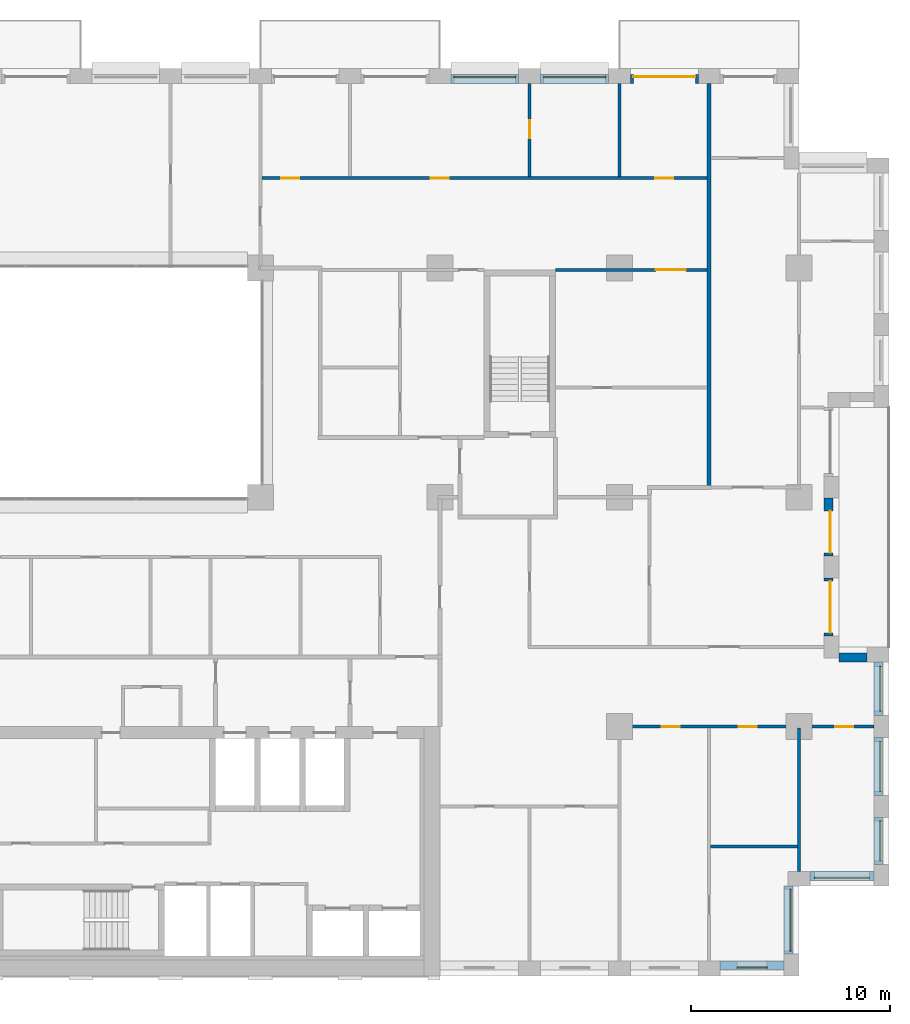
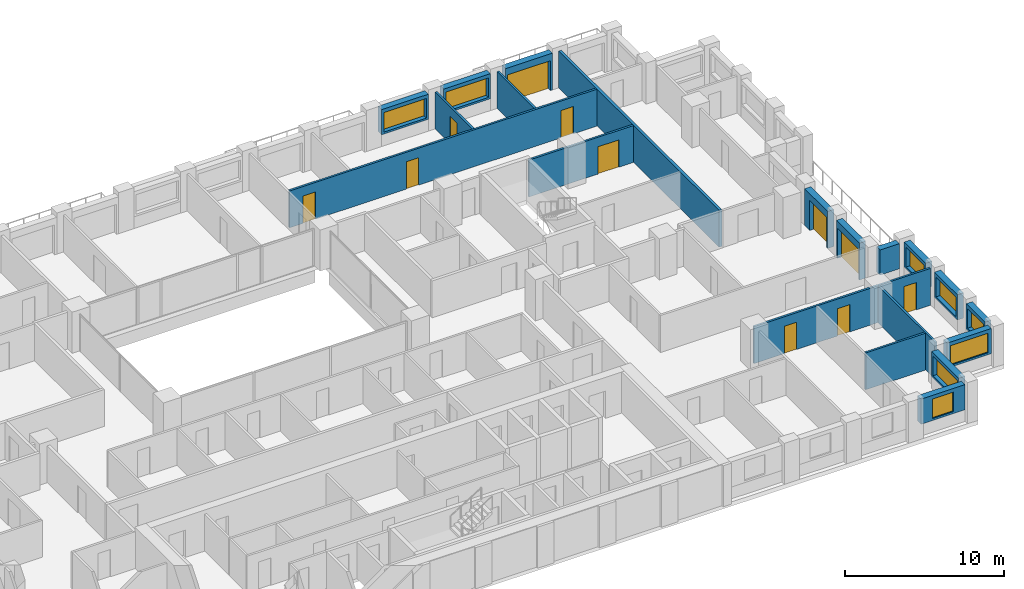
# One storey, part 14 of 17: 20 walls, 11 doors, 8 windows, 19 openings.
"""IFC4 building model written with IfcOpenShell, lengths in metres."""

from ifc_helpers import new_model, si_unit, direction, frame, frame_2d, origin, place, context, subcontext, project, spatial, rectangle, extrude, material, layer, layer_set, type_object, element, fill, save


model = new_model("IFC4")

# Units and contexts
model_context = context("Model", 3, precision=1e-05, world=origin(), true_north=direction((0.0, 1.0)))
body_context = subcontext(model_context, "Body", "Model", "MODEL_VIEW")
ifc_project = project(units=[si_unit("LENGTHUNIT", "METRE"), si_unit("AREAUNIT", "SQUARE_METRE"), si_unit("VOLUMEUNIT", "CUBIC_METRE"), si_unit("PLANEANGLEUNIT", "RADIAN"), si_unit("MASSUNIT", "GRAM", prefix="KILO")], contexts=[model_context])

# Site, building, storey
site_placement = place(None, origin())
site = spatial("IfcSite", under=ifc_project, at=site_placement, CompositionType="ELEMENT")
building_placement = place(site_placement, origin())
building = spatial("IfcBuilding", under=site, at=building_placement, Name="Brigalow Station Residences", CompositionType="ELEMENT")
storey_placement = place(building_placement, frame((0.0, 0.0, 96.14990234375)))
storey = spatial("IfcBuildingStorey", under=building, at=storey_placement, Name="L27", CompositionType="ELEMENT", Elevation=96.14990234375)

# Wall, opening, window
ifc_material_1 = material(Name="Clay brick masonry", Category="masonry")
ifc_layer_1 = layer(ifc_material_1, 0.449951171875)
ifc_layer_set_1 = layer_set([ifc_layer_1], Name="BRICK INFILL WALL 450")
wall_type_1 = type_object("IfcWallType", Name="BRICK INFILL WALL 450", PredefinedType="SOLIDWALL", material=ifc_layer_set_1)
wall_1_placement = place(storey_placement, frame((68.050048828125, 0.52490234375, 0.900146484375), z_axis=(0.0, 0.0, 1.0), x_axis=(1.0, 0.0, 0.0)))
wall_1 = element("IfcWall", 1, at=wall_1_placement, inside=storey, type_object=wall_type_1, Name="L27/ewall/W-L27-7", PredefinedType="SOLIDWALL", context=body_context, shape_type="SweptSolid", body=[
    extrude(rectangle(XDim=3.199951171875, YDim=0.449951171875, at=frame_2d((1.60009765625, 0.0))), origin(), (0.0, 0.0, 1.0), 1.929931640625),
])
opening_1_placement = place(wall_1_placement, frame((0.85009765625, 0.0, 0.14990234375)))
opening_1 = element("IfcOpeningElement", 2, at=opening_1_placement, cuts=wall_1, Name="Opening WT-1", PredefinedType="OPENING", context=body_context, shape_type="SweptSolid", body=[
    extrude(rectangle(XDim=1.5, YDim=1.5, at=frame_2d((0.75, 0.75))), frame((0.0, 0.23486328125, 0.0), z_axis=(0.0, -1.0, 0.0), x_axis=(1.0, 0.0, 0.0)), (0.0, 0.0, 1.0), 0.469970703125),
])
ifc_material_2 = material(Name="Anodised aluminium frame with double glazing", Category="aluminium")
window_type_1 = type_object("IfcWindowType", Name="WINDOW 1500x1500", PartitioningType="SINGLE_PANEL", PredefinedType="WINDOW", material=ifc_material_2)
window_1_placement = place(opening_1_placement, origin())
window_1 = element("IfcWindow", 3, at=window_1_placement, inside=storey, type_object=window_type_1, Name="L27/window/W-L27-7", OverallHeight=1.5, OverallWidth=1.5, PartitioningType="SINGLE_PANEL", PredefinedType="WINDOW", context=body_context, shape_type="SweptSolid", body=[
    extrude(rectangle(XDim=1.5, YDim=1.5, at=frame_2d((0.75, 0.75))), frame((0.0, -0.06494140625, 0.0), z_axis=(0.0, -1.0, 0.0), x_axis=(1.0, 0.0, 0.0)), (0.0, 0.0, 1.0), 0.06005859375),
])
fill(opening_1, window_1)

wall_2_placement = place(storey_placement, frame((71.47509765625, 1.10009765625, 0.900146484375), z_axis=(0.0, 0.0, 1.0), x_axis=(0.0, 1.0, 0.0)))
wall_2 = element("IfcWall", 4, at=wall_2_placement, inside=storey, type_object=wall_type_1, Name="L27/ewall/W-L27-8", PredefinedType="SOLIDWALL", context=body_context, shape_type="SweptSolid", body=[
    extrude(rectangle(XDim=3.39990234375, YDim=0.449951171875, at=frame_2d((1.699951171875, 0.0))), origin(), (0.0, 0.0, 1.0), 1.929931640625),
])
opening_2_placement = place(wall_2_placement, frame((0.14990234375, 0.0, 0.14990234375)))
opening_2 = element("IfcOpeningElement", 5, at=opening_2_placement, cuts=wall_2, Name="Opening WT-8", PredefinedType="OPENING", context=body_context, shape_type="SweptSolid", body=[
    extrude(rectangle(XDim=3.10009765625, YDim=1.5, at=frame_2d((1.550048828125, 0.75))), frame((0.0, 0.23486328125, 0.0), z_axis=(0.0, -1.0, 0.0), x_axis=(1.0, 0.0, 0.0)), (0.0, 0.0, 1.0), 0.469970703125),
])
ifc_material_3 = material(Name="Anodised aluminium frame with double glazing", Category="aluminium")
window_type_2 = type_object("IfcWindowType", Name="WINDOW 3100x1500", PartitioningType="SINGLE_PANEL", PredefinedType="WINDOW", material=ifc_material_3)
window_2_placement = place(opening_2_placement, origin())
window_2 = element("IfcWindow", 6, at=window_2_placement, inside=storey, type_object=window_type_2, Name="L27/window/W-L27-8", OverallHeight=1.5, OverallWidth=3.10009765625, PartitioningType="SINGLE_PANEL", PredefinedType="WINDOW", context=body_context, shape_type="SweptSolid", body=[
    extrude(rectangle(XDim=3.10009765625, YDim=1.5, at=frame_2d((1.550048828125, 0.75))), frame((0.0, -0.06494140625, 0.0), z_axis=(0.0, -1.0, 0.0), x_axis=(1.0, 0.0, 0.0)), (0.0, 0.0, 1.0), 0.06005859375),
])
fill(opening_2, window_2)

wall_3_placement = place(storey_placement, frame((72.550048828125, 5.02490234375, 0.900146484375), z_axis=(0.0, 0.0, 1.0), x_axis=(1.0, 0.0, 0.0)))
wall_3 = element("IfcWall", 7, at=wall_3_placement, inside=storey, type_object=wall_type_1, Name="L27/ewall/W-L27-9", PredefinedType="SOLIDWALL", context=body_context, shape_type="SweptSolid", body=[
    extrude(rectangle(XDim=3.199951171875, YDim=0.449951171875, at=frame_2d((1.60009765625, 0.0))), origin(), (0.0, 0.0, 1.0), 1.929931640625),
])
opening_3_placement = place(wall_3_placement, frame((0.22509765625, 0.0, 0.14990234375)))
opening_3 = element("IfcOpeningElement", 8, at=opening_3_placement, cuts=wall_3, Name="Opening WT-3", PredefinedType="OPENING", context=body_context, shape_type="SweptSolid", body=[
    extrude(rectangle(XDim=2.75, YDim=1.5, at=frame_2d((1.375, 0.75))), frame((0.0, 0.23486328125, 0.0), z_axis=(0.0, -1.0, 0.0), x_axis=(1.0, 0.0, 0.0)), (0.0, 0.0, 1.0), 0.469970703125),
])
ifc_material_4 = material(Name="Anodised aluminium frame with double glazing", Category="aluminium")
window_type_3 = type_object("IfcWindowType", Name="WINDOW 2750x1500", PartitioningType="SINGLE_PANEL", PredefinedType="WINDOW", material=ifc_material_4)
window_3_placement = place(opening_3_placement, origin())
window_3 = element("IfcWindow", 9, at=window_3_placement, inside=storey, type_object=window_type_3, Name="L27/window/W-L27-9", OverallHeight=1.5, OverallWidth=2.75, PartitioningType="SINGLE_PANEL", PredefinedType="WINDOW", context=body_context, shape_type="SweptSolid", body=[
    extrude(rectangle(XDim=2.75, YDim=1.5, at=frame_2d((1.375, 0.75))), frame((0.0, -0.06494140625, 0.0), z_axis=(0.0, -1.0, 0.0), x_axis=(1.0, 0.0, 0.0)), (0.0, 0.0, 1.0), 0.06005859375),
])
fill(opening_3, window_3)

wall_4_placement = place(storey_placement, frame((75.97509765625, 5.60009765625, 0.900146484375), z_axis=(0.0, 0.0, 1.0), x_axis=(0.0, 1.0, 0.0)))
wall_4 = element("IfcWall", 10, at=wall_4_placement, inside=storey, type_object=wall_type_1, Name="L27/ewall/W-L27-10", PredefinedType="SOLIDWALL", context=body_context, shape_type="SweptSolid", body=[
    extrude(rectangle(XDim=2.349853515625, YDim=0.449951171875, at=frame_2d((1.1748046875, 0.0))), origin(), (0.0, 0.0, 1.0), 1.929931640625),
])
opening_4_placement = place(wall_4_placement, frame((0.175048828125, 0.0, 0.14990234375)))
opening_4 = element("IfcOpeningElement", 11, at=opening_4_placement, cuts=wall_4, Name="Opening WT-7", PredefinedType="OPENING", context=body_context, shape_type="SweptSolid", body=[
    extrude(rectangle(XDim=2.0, YDim=1.5, at=frame_2d((1.0, 0.75))), frame((0.0, 0.23486328125, 0.0), z_axis=(0.0, -1.0, 0.0), x_axis=(1.0, 0.0, 0.0)), (0.0, 0.0, 1.0), 0.469970703125),
])
ifc_material_5 = material(Name="Anodised aluminium frame with double glazing", Category="aluminium")
window_type_4 = type_object("IfcWindowType", Name="WINDOW 2000x1500", PartitioningType="SINGLE_PANEL", PredefinedType="WINDOW", material=ifc_material_5)
window_4_placement = place(opening_4_placement, origin())
window_4 = element("IfcWindow", 12, at=window_4_placement, inside=storey, type_object=window_type_4, Name="L27/window/W-L27-10", OverallHeight=1.5, OverallWidth=2.0, PartitioningType="SINGLE_PANEL", PredefinedType="WINDOW", context=body_context, shape_type="SweptSolid", body=[
    extrude(rectangle(XDim=2.0, YDim=1.5, at=frame_2d((1.0, 0.75))), frame((0.0, -0.06494140625, 0.0), z_axis=(0.0, -1.0, 0.0), x_axis=(1.0, 0.0, 0.0)), (0.0, 0.0, 1.0), 0.06005859375),
])
fill(opening_4, window_4)

wall_5_placement = place(storey_placement, frame((75.97509765625, 9.050048828125, 0.900146484375), z_axis=(0.0, 0.0, 1.0), x_axis=(0.0, 1.0, 0.0)))
wall_5 = element("IfcWall", 13, at=wall_5_placement, inside=storey, type_object=wall_type_1, Name="L27/ewall/W-L27-11", PredefinedType="SOLIDWALL", context=body_context, shape_type="SweptSolid", body=[
    extrude(rectangle(XDim=2.89990234375, YDim=0.449951171875, at=frame_2d((1.449951171875, 0.0))), origin(), (0.0, 0.0, 1.0), 1.929931640625),
])
opening_5_placement = place(wall_5_placement, frame((0.199951171875, 0.0, 0.14990234375)))
opening_5 = element("IfcOpeningElement", 14, at=opening_5_placement, cuts=wall_5, Name="Opening WT-5", PredefinedType="OPENING", context=body_context, shape_type="SweptSolid", body=[
    extrude(rectangle(XDim=2.5, YDim=1.5, at=frame_2d((1.25, 0.75))), frame((0.0, 0.23486328125, 0.0), z_axis=(0.0, -1.0, 0.0), x_axis=(1.0, 0.0, 0.0)), (0.0, 0.0, 1.0), 0.469970703125),
])
ifc_material_6 = material(Name="Anodised aluminium frame with double glazing", Category="aluminium")
window_type_5 = type_object("IfcWindowType", Name="WINDOW 2500x1500", PartitioningType="SINGLE_PANEL", PredefinedType="WINDOW", material=ifc_material_6)
window_5_placement = place(opening_5_placement, origin())
window_5 = element("IfcWindow", 15, at=window_5_placement, inside=storey, type_object=window_type_5, Name="L27/window/W-L27-11", OverallHeight=1.5, OverallWidth=2.5, PartitioningType="SINGLE_PANEL", PredefinedType="WINDOW", context=body_context, shape_type="SweptSolid", body=[
    extrude(rectangle(XDim=2.5, YDim=1.5, at=frame_2d((1.25, 0.75))), frame((0.0, -0.06494140625, 0.0), z_axis=(0.0, -1.0, 0.0), x_axis=(1.0, 0.0, 0.0)), (0.0, 0.0, 1.0), 0.06005859375),
])
fill(opening_5, window_5)

wall_6_placement = place(storey_placement, frame((75.97509765625, 13.050048828125, 0.900146484375), z_axis=(0.0, 0.0, 1.0), x_axis=(0.0, 1.0, 0.0)))
wall_6 = element("IfcWall", 16, at=wall_6_placement, inside=storey, type_object=wall_type_1, Name="L27/ewall/W-L27-12", PredefinedType="SOLIDWALL", context=body_context, shape_type="SweptSolid", body=[
    extrude(rectangle(XDim=2.699951171875, YDim=0.449951171875, at=frame_2d((1.35009765625, 0.0))), origin(), (0.0, 0.0, 1.0), 1.929931640625),
])
opening_6_placement = place(wall_6_placement, frame((0.22509765625, 0.0, 0.14990234375)))
opening_6 = element("IfcOpeningElement", 17, at=opening_6_placement, cuts=wall_6, Name="Opening WT-6", PredefinedType="OPENING", context=body_context, shape_type="SweptSolid", body=[
    extrude(rectangle(XDim=2.25, YDim=1.5, at=frame_2d((1.125, 0.75))), frame((0.0, 0.23486328125, 0.0), z_axis=(0.0, -1.0, 0.0), x_axis=(1.0, 0.0, 0.0)), (0.0, 0.0, 1.0), 0.469970703125),
])
ifc_material_7 = material(Name="Anodised aluminium frame with double glazing", Category="aluminium")
window_type_6 = type_object("IfcWindowType", Name="WINDOW 2250x1500", PartitioningType="SINGLE_PANEL", PredefinedType="WINDOW", material=ifc_material_7)
window_6_placement = place(opening_6_placement, origin())
window_6 = element("IfcWindow", 18, at=window_6_placement, inside=storey, type_object=window_type_6, Name="L27/window/W-L27-12", OverallHeight=1.5, OverallWidth=2.25, PartitioningType="SINGLE_PANEL", PredefinedType="WINDOW", context=body_context, shape_type="SweptSolid", body=[
    extrude(rectangle(XDim=2.25, YDim=1.5, at=frame_2d((1.125, 0.75))), frame((0.0, -0.06494140625, 0.0), z_axis=(0.0, -1.0, 0.0), x_axis=(1.0, 0.0, 0.0)), (0.0, 0.0, 1.0), 0.06005859375),
])
fill(opening_6, window_6)

# Wall
wall_7_placement = place(storey_placement, frame((75.39990234375, 15.97509765625, 0.900146484375), z_axis=(0.0, 0.0, 1.0), x_axis=(-1.0, 0.0, 0.0)))
element("IfcWall", 19, at=wall_7_placement, inside=storey, type_object=wall_type_1, Name="L27/ewall/W-L27-13", PredefinedType="SOLIDWALL", context=body_context, shape_type="SweptSolid", body=[
    extrude(rectangle(XDim=1.39990234375, YDim=0.449951171875, at=frame_2d((0.699951171875, 0.0))), origin(), (0.0, 0.0, 1.0), 1.929931640625),
])

# Wall, opening, door
wall_8_placement = place(storey_placement, frame((73.47509765625, 17.050048828125, 0.0), z_axis=(0.0, 0.0, 1.0), x_axis=(0.0, 1.0, 0.0)))
wall_8 = element("IfcWall", 20, at=wall_8_placement, inside=storey, type_object=wall_type_1, Name="L27/ewall/W-L27-14", PredefinedType="SOLIDWALL", context=body_context, shape_type="SweptSolid", body=[
    extrude(rectangle(XDim=2.89990234375, YDim=0.449951171875, at=frame_2d((1.449951171875, 0.0))), origin(), (0.0, 0.0, 1.0), 2.830078125),
])
opening_7_placement = place(wall_8_placement, frame((0.14990234375, 0.0, 0.0)))
opening_7 = element("IfcOpeningElement", 21, at=opening_7_placement, cuts=wall_8, Name="Opening D-B2600", PredefinedType="OPENING", context=body_context, shape_type="SweptSolid", body=[
    extrude(rectangle(XDim=2.60009765625, YDim=2.300048828125, at=frame_2d((1.300048828125, 1.14990234375))), frame((0.0, 0.23486328125, 0.0), z_axis=(0.0, -1.0, 0.0), x_axis=(1.0, 0.0, 0.0)), (0.0, 0.0, 1.0), 0.469970703125),
])
ifc_material_8 = material(Name="Anodised aluminium frame with double glazing", Category="aluminium")
door_type_1 = type_object("IfcDoorType", Name="BALCONY SLIDING DOOR 2600x2300", OperationType="SLIDING_TO_LEFT", PredefinedType="DOOR", material=ifc_material_8)
door_1_placement = place(opening_7_placement, origin())
door_1 = element("IfcDoor", 22, at=door_1_placement, inside=storey, type_object=door_type_1, Name="L27/balcony-door/W-L27-14", OperationType="SLIDING_TO_LEFT", OverallHeight=2.300048828125, OverallWidth=2.60009765625, PredefinedType="DOOR", context=body_context, shape_type="SweptSolid", body=[
    extrude(rectangle(XDim=2.60009765625, YDim=2.300048828125, at=frame_2d((1.300048828125, 1.14990234375))), frame((0.0, -0.06982421875, 0.0), z_axis=(0.0, -1.0, 0.0), x_axis=(1.0, 0.0, 0.0)), (0.0, 0.0, 1.0), 0.050048828125),
])
fill(opening_7, door_1)

wall_9_placement = place(storey_placement, frame((73.47509765625, 21.050048828125, 0.0), z_axis=(0.0, 0.0, 1.0), x_axis=(0.0, 1.0, 0.0)))
wall_9 = element("IfcWall", 23, at=wall_9_placement, inside=storey, type_object=wall_type_1, Name="L27/ewall/W-L27-15", PredefinedType="SOLIDWALL", context=body_context, shape_type="SweptSolid", body=[
    extrude(rectangle(XDim=2.89990234375, YDim=0.449951171875, at=frame_2d((1.449951171875, 0.0))), origin(), (0.0, 0.0, 1.0), 2.830078125),
])
opening_8_placement = place(wall_9_placement, frame((0.1650390625, 0.0, 0.0)))
opening_8 = element("IfcOpeningElement", 24, at=opening_8_placement, cuts=wall_9, Name="Opening D-B2100", PredefinedType="OPENING", context=body_context, shape_type="SweptSolid", body=[
    extrude(rectangle(XDim=2.10009765625, YDim=2.300048828125, at=frame_2d((1.050048828125, 1.14990234375))), frame((0.0, 0.23486328125, 0.0), z_axis=(0.0, -1.0, 0.0), x_axis=(1.0, 0.0, 0.0)), (0.0, 0.0, 1.0), 0.469970703125),
])
ifc_material_9 = material(Name="Anodised aluminium frame with double glazing", Category="aluminium")
door_type_2 = type_object("IfcDoorType", Name="BALCONY SLIDING DOOR 2100x2300", OperationType="SLIDING_TO_LEFT", PredefinedType="DOOR", material=ifc_material_9)
door_2_placement = place(opening_8_placement, origin())
door_2 = element("IfcDoor", 25, at=door_2_placement, inside=storey, type_object=door_type_2, Name="L27/balcony-door/W-L27-15", OperationType="SLIDING_TO_LEFT", OverallHeight=2.300048828125, OverallWidth=2.10009765625, PredefinedType="DOOR", context=body_context, shape_type="SweptSolid", body=[
    extrude(rectangle(XDim=2.10009765625, YDim=2.300048828125, at=frame_2d((1.050048828125, 1.14990234375))), frame((0.0, -0.06982421875, 0.0), z_axis=(0.0, -1.0, 0.0), x_axis=(1.0, 0.0, 0.0)), (0.0, 0.0, 1.0), 0.050048828125),
])
fill(opening_8, door_2)

wall_10_placement = place(storey_placement, frame((66.949951171875, 44.97509765625, 0.0), z_axis=(0.0, 0.0, 1.0), x_axis=(-1.0, 0.0, 0.0)))
wall_10 = element("IfcWall", 26, at=wall_10_placement, inside=storey, type_object=wall_type_1, Name="L27/ewall/W-L27-24", PredefinedType="SOLIDWALL", context=body_context, shape_type="SweptSolid", body=[
    extrude(rectangle(XDim=3.39990234375, YDim=0.449951171875, at=frame_2d((1.699951171875, 0.0))), origin(), (0.0, 0.0, 1.0), 2.830078125),
])
opening_9_placement = place(wall_10_placement, frame((0.14990234375, 0.0, 0.0)))
opening_9 = element("IfcOpeningElement", 27, at=opening_9_placement, cuts=wall_10, Name="Opening D-B3100", PredefinedType="OPENING", context=body_context, shape_type="SweptSolid", body=[
    extrude(rectangle(XDim=3.10009765625, YDim=2.300048828125, at=frame_2d((1.550048828125, 1.14990234375))), frame((0.0, 0.23486328125, 0.0), z_axis=(0.0, -1.0, 0.0), x_axis=(1.0, 0.0, 0.0)), (0.0, 0.0, 1.0), 0.469970703125),
])
ifc_material_10 = material(Name="Anodised aluminium frame with double glazing", Category="aluminium")
door_type_3 = type_object("IfcDoorType", Name="BALCONY SLIDING DOOR 3100x2300", OperationType="SLIDING_TO_LEFT", PredefinedType="DOOR", material=ifc_material_10)
door_3_placement = place(opening_9_placement, origin())
door_3 = element("IfcDoor", 28, at=door_3_placement, inside=storey, type_object=door_type_3, Name="L27/balcony-door/W-L27-24", OperationType="SLIDING_TO_LEFT", OverallHeight=2.300048828125, OverallWidth=3.10009765625, PredefinedType="DOOR", context=body_context, shape_type="SweptSolid", body=[
    extrude(rectangle(XDim=3.10009765625, YDim=2.300048828125, at=frame_2d((1.550048828125, 1.14990234375))), frame((0.0, -0.06982421875, 0.0), z_axis=(0.0, -1.0, 0.0), x_axis=(1.0, 0.0, 0.0)), (0.0, 0.0, 1.0), 0.050048828125),
])
fill(opening_9, door_3)

# Wall, opening, window
wall_11_placement = place(storey_placement, frame((62.449951171875, 44.97509765625, 0.900146484375), z_axis=(0.0, 0.0, 1.0), x_axis=(-1.0, 0.0, 0.0)))
wall_11 = element("IfcWall", 29, at=wall_11_placement, inside=storey, type_object=wall_type_1, Name="L27/ewall/W-L27-25", PredefinedType="SOLIDWALL", context=body_context, shape_type="SweptSolid", body=[
    extrude(rectangle(XDim=3.39990234375, YDim=0.449951171875, at=frame_2d((1.699951171875, 0.0))), origin(), (0.0, 0.0, 1.0), 1.929931640625),
])
opening_10_placement = place(wall_11_placement, frame((0.14990234375, 0.0, 0.14990234375)))
opening_10 = element("IfcOpeningElement", 30, at=opening_10_placement, cuts=wall_11, Name="Opening WT-8", PredefinedType="OPENING", context=body_context, shape_type="SweptSolid", body=[
    extrude(rectangle(XDim=3.10009765625, YDim=1.5, at=frame_2d((1.550048828125, 0.75))), frame((0.0, 0.23486328125, 0.0), z_axis=(0.0, -1.0, 0.0), x_axis=(1.0, 0.0, 0.0)), (0.0, 0.0, 1.0), 0.469970703125),
])
window_7_placement = place(opening_10_placement, origin())
window_7 = element("IfcWindow", 31, at=window_7_placement, inside=storey, type_object=window_type_2, Name="L27/window/W-L27-25", OverallHeight=1.5, OverallWidth=3.10009765625, PartitioningType="SINGLE_PANEL", PredefinedType="WINDOW", context=body_context, shape_type="SweptSolid", body=[
    extrude(rectangle(XDim=3.10009765625, YDim=1.5, at=frame_2d((1.550048828125, 0.75))), frame((0.0, -0.06494140625, 0.0), z_axis=(0.0, -1.0, 0.0), x_axis=(1.0, 0.0, 0.0)), (0.0, 0.0, 1.0), 0.06005859375),
])
fill(opening_10, window_7)

wall_12_placement = place(storey_placement, frame((57.949951171875, 44.97509765625, 0.900146484375), z_axis=(0.0, 0.0, 1.0), x_axis=(-1.0, 0.0, 0.0)))
wall_12 = element("IfcWall", 32, at=wall_12_placement, inside=storey, type_object=wall_type_1, Name="L27/ewall/W-L27-26", PredefinedType="SOLIDWALL", context=body_context, shape_type="SweptSolid", body=[
    extrude(rectangle(XDim=3.39990234375, YDim=0.449951171875, at=frame_2d((1.699951171875, 0.0))), origin(), (0.0, 0.0, 1.0), 1.929931640625),
])
opening_11_placement = place(wall_12_placement, frame((0.14990234375, 0.0, 0.14990234375)))
opening_11 = element("IfcOpeningElement", 33, at=opening_11_placement, cuts=wall_12, Name="Opening WT-8", PredefinedType="OPENING", context=body_context, shape_type="SweptSolid", body=[
    extrude(rectangle(XDim=3.10009765625, YDim=1.5, at=frame_2d((1.550048828125, 0.75))), frame((0.0, 0.23486328125, 0.0), z_axis=(0.0, -1.0, 0.0), x_axis=(1.0, 0.0, 0.0)), (0.0, 0.0, 1.0), 0.469970703125),
])
window_8_placement = place(opening_11_placement, origin())
window_8 = element("IfcWindow", 34, at=window_8_placement, inside=storey, type_object=window_type_2, Name="L27/window/W-L27-26", OverallHeight=1.5, OverallWidth=3.10009765625, PartitioningType="SINGLE_PANEL", PredefinedType="WINDOW", context=body_context, shape_type="SweptSolid", body=[
    extrude(rectangle(XDim=3.10009765625, YDim=1.5, at=frame_2d((1.550048828125, 0.75))), frame((0.0, -0.06494140625, 0.0), z_axis=(0.0, -1.0, 0.0), x_axis=(1.0, 0.0, 0.0)), (0.0, 0.0, 1.0), 0.06005859375),
])
fill(opening_11, window_8)

# Wall, openings, doors
ifc_material_11 = material(Name="Plasterboard on steel stud partition", Category="steel")
ifc_layer_2 = layer(ifc_material_11, 0.14990234375)
ifc_layer_set_2 = layer_set([ifc_layer_2], Name="FLAT PARTITION 150")
wall_type_2 = type_object("IfcWallType", Name="FLAT PARTITION 150", PredefinedType="PARTITIONING", material=ifc_layer_set_2)
wall_13_placement = place(storey_placement, frame((62.925048828125, 12.5, 0.0), z_axis=(0.0, 0.0, 1.0), x_axis=(1.0, 0.0, 0.0)))
wall_13 = element("IfcWall", 35, at=wall_13_placement, inside=storey, type_object=wall_type_2, Name="PW-2B17", PredefinedType="PARTITIONING", context=body_context, shape_type="SweptSolid", body=[
    extrude(rectangle(XDim=12.824951171875, YDim=0.14990234375, at=frame_2d((6.41259765625, 0.0))), origin(), (0.0, 0.0, 1.0), 2.830078125),
])
opening_12_placement = place(wall_13_placement, frame((6.050048828125, 0.0, 0.0)))
opening_12 = element("IfcOpeningElement", 36, at=opening_12_placement, cuts=wall_13, Name="Opening D-2B35", PredefinedType="OPENING", context=body_context, shape_type="SweptSolid", body=[
    extrude(rectangle(XDim=0.89990234375, YDim=2.10009765625, at=frame_2d((0.449951171875, 1.050048828125))), frame((0.0, 0.0849609375, 0.0), z_axis=(0.0, -1.0, 0.0), x_axis=(1.0, 0.0, 0.0)), (0.0, 0.0, 1.0), 0.169921875),
])
opening_13_placement = place(wall_13_placement, frame((2.199951171875, 0.0, 0.0)))
opening_13 = element("IfcOpeningElement", 37, at=opening_13_placement, cuts=wall_13, Name="Opening D-2B37", PredefinedType="OPENING", context=body_context, shape_type="SweptSolid", body=[
    extrude(rectangle(XDim=0.89990234375, YDim=2.10009765625, at=frame_2d((0.449951171875, 1.050048828125))), frame((0.0, 0.0849609375, 0.0), z_axis=(0.0, -1.0, 0.0), x_axis=(1.0, 0.0, 0.0)), (0.0, 0.0, 1.0), 0.169921875),
])
opening_14_placement = place(wall_13_placement, frame((10.89990234375, 0.0, 0.0)))
opening_14 = element("IfcOpeningElement", 38, at=opening_14_placement, cuts=wall_13, Name="Opening D-2B39", PredefinedType="OPENING", context=body_context, shape_type="SweptSolid", body=[
    extrude(rectangle(XDim=0.89990234375, YDim=2.10009765625, at=frame_2d((0.449951171875, 1.050048828125))), frame((0.0, 0.0849609375, 0.0), z_axis=(0.0, -1.0, 0.0), x_axis=(1.0, 0.0, 0.0)), (0.0, 0.0, 1.0), 0.169921875),
])
ifc_material_12 = material(Name="Solid-core timber door leaf", Category="wood")
door_type_4 = type_object("IfcDoorType", Name="INTERNAL DOOR 900 x 2100", OperationType="SINGLE_SWING_LEFT", PredefinedType="DOOR", material=ifc_material_12)
door_4_placement = place(opening_12_placement, frame((0.89990234375, 0.0, 0.0), z_axis=(0.0, 0.0, 1.0), x_axis=(-1.0, 0.0, 0.0)))
door_4 = element("IfcDoor", 39, at=door_4_placement, inside=storey, type_object=door_type_4, Name="D-2B35", OperationType="SINGLE_SWING_RIGHT", OverallHeight=2.10009765625, OverallWidth=0.89990234375, PredefinedType="DOOR", context=body_context, shape_type="SweptSolid", body=[
    extrude(rectangle(XDim=0.89990234375, YDim=2.10009765625, at=frame_2d((0.449951171875, 1.050048828125))), frame((0.0, 0.02490234375, 0.0), z_axis=(0.0, -1.0, 0.0), x_axis=(1.0, 0.0, 0.0)), (0.0, 0.0, 1.0), 0.050048828125),
])
fill(opening_12, door_4)
door_5_placement = place(opening_13_placement, frame((0.89990234375, 0.0, 0.0), z_axis=(0.0, 0.0, 1.0), x_axis=(-1.0, 0.0, 0.0)))
door_5 = element("IfcDoor", 40, at=door_5_placement, inside=storey, type_object=door_type_4, Name="D-2B37", OperationType="SINGLE_SWING_LEFT", OverallHeight=2.10009765625, OverallWidth=0.89990234375, PredefinedType="DOOR", context=body_context, shape_type="SweptSolid", body=[
    extrude(rectangle(XDim=0.89990234375, YDim=2.10009765625, at=frame_2d((0.449951171875, 1.050048828125))), frame((0.0, 0.02490234375, 0.0), z_axis=(0.0, -1.0, 0.0), x_axis=(1.0, 0.0, 0.0)), (0.0, 0.0, 1.0), 0.050048828125),
])
fill(opening_13, door_5)
door_6_placement = place(opening_14_placement, frame((0.89990234375, 0.0, 0.0), z_axis=(0.0, 0.0, 1.0), x_axis=(-1.0, 0.0, 0.0)))
door_6 = element("IfcDoor", 41, at=door_6_placement, inside=storey, type_object=door_type_4, Name="D-2B39", OperationType="SINGLE_SWING_LEFT", OverallHeight=2.10009765625, OverallWidth=0.89990234375, PredefinedType="DOOR", context=body_context, shape_type="SweptSolid", body=[
    extrude(rectangle(XDim=0.89990234375, YDim=2.10009765625, at=frame_2d((0.449951171875, 1.050048828125))), frame((0.0, 0.02490234375, 0.0), z_axis=(0.0, -1.0, 0.0), x_axis=(1.0, 0.0, 0.0)), (0.0, 0.0, 1.0), 0.050048828125),
])
fill(opening_14, door_6)

# Wall, opening, door
wall_14_placement = place(storey_placement, frame((59.800048828125, 35.39990234375, 0.0), z_axis=(0.0, 0.0, 1.0), x_axis=(1.0, 0.0, 0.0)))
wall_14 = element("IfcWall", 42, at=wall_14_placement, inside=storey, type_object=wall_type_2, Name="PW-2B29", PredefinedType="PARTITIONING", context=body_context, shape_type="SweptSolid", body=[
    extrude(rectangle(XDim=7.599853515625, YDim=0.14990234375, at=frame_2d((3.7998046875, 0.0))), origin(), (0.0, 0.0, 1.0), 2.830078125),
])
opening_15_placement = place(wall_14_placement, frame((5.02490234375, 0.0, 0.0)))
opening_15 = element("IfcOpeningElement", 43, at=opening_15_placement, cuts=wall_14, Name="Opening D-2B31", PredefinedType="OPENING", context=body_context, shape_type="SweptSolid", body=[
    extrude(rectangle(XDim=1.5, YDim=2.10009765625, at=frame_2d((0.75, 1.050048828125))), frame((0.0, 0.0849609375, 0.0), z_axis=(0.0, -1.0, 0.0), x_axis=(1.0, 0.0, 0.0)), (0.0, 0.0, 1.0), 0.169921875),
])
ifc_material_13 = material(Name="Solid-core timber door leaf", Category="wood")
door_type_5 = type_object("IfcDoorType", Name="INTERNAL DOUBLE DOOR 1500 x 2100", OperationType="DOUBLE_DOOR_SINGLE_SWING", PredefinedType="DOOR", material=ifc_material_13)
door_7_placement = place(opening_15_placement, frame((1.5, 0.0, 0.0), z_axis=(0.0, 0.0, 1.0), x_axis=(-1.0, 0.0, 0.0)))
door_7 = element("IfcDoor", 44, at=door_7_placement, inside=storey, type_object=door_type_5, Name="D-2B31", OperationType="DOUBLE_DOOR_SINGLE_SWING", OverallHeight=2.10009765625, OverallWidth=1.5, PredefinedType="DOOR", context=body_context, shape_type="SweptSolid", body=[
    extrude(rectangle(XDim=1.5, YDim=2.10009765625, at=frame_2d((0.75, 1.050048828125))), frame((0.0, 0.02490234375, 0.0), z_axis=(0.0, -1.0, 0.0), x_axis=(1.0, 0.0, 0.0)), (0.0, 0.0, 1.0), 0.050048828125),
])
fill(opening_15, door_7)

# Wall, openings, doors
wall_15_placement = place(storey_placement, frame((45.074951171875, 40.0, 0.0), z_axis=(0.0, 0.0, 1.0), x_axis=(1.0, 0.0, 0.0)))
wall_15 = element("IfcWall", 45, at=wall_15_placement, inside=storey, type_object=wall_type_2, Name="PW-2B34", PredefinedType="PARTITIONING", context=body_context, shape_type="SweptSolid", body=[
    extrude(rectangle(XDim=22.324951171875, YDim=0.14990234375, at=frame_2d((11.16259765625, 0.0))), origin(), (0.0, 0.0, 1.0), 2.830078125),
])
opening_16_placement = place(wall_15_placement, frame((0.97509765625, 0.0, 0.0)))
opening_16 = element("IfcOpeningElement", 46, at=opening_16_placement, cuts=wall_15, Name="Opening D-2B27", PredefinedType="OPENING", context=body_context, shape_type="SweptSolid", body=[
    extrude(rectangle(XDim=0.89990234375, YDim=2.10009765625, at=frame_2d((0.449951171875, 1.050048828125))), frame((0.0, 0.0849609375, 0.0), z_axis=(0.0, -1.0, 0.0), x_axis=(1.0, 0.0, 0.0)), (0.0, 0.0, 1.0), 0.169921875),
])
opening_17_placement = place(wall_15_placement, frame((8.47509765625, 0.0, 0.0)))
opening_17 = element("IfcOpeningElement", 47, at=opening_17_placement, cuts=wall_15, Name="Opening D-2B28", PredefinedType="OPENING", context=body_context, shape_type="SweptSolid", body=[
    extrude(rectangle(XDim=0.89990234375, YDim=2.10009765625, at=frame_2d((0.449951171875, 1.050048828125))), frame((0.0, 0.0849609375, 0.0), z_axis=(0.0, -1.0, 0.0), x_axis=(1.0, 0.0, 0.0)), (0.0, 0.0, 1.0), 0.169921875),
])
opening_18_placement = place(wall_15_placement, frame((19.72509765625, 0.0, 0.0)))
opening_18 = element("IfcOpeningElement", 48, at=opening_18_placement, cuts=wall_15, Name="Opening D-2B30", PredefinedType="OPENING", context=body_context, shape_type="SweptSolid", body=[
    extrude(rectangle(XDim=0.89990234375, YDim=2.10009765625, at=frame_2d((0.449951171875, 1.050048828125))), frame((0.0, 0.0849609375, 0.0), z_axis=(0.0, -1.0, 0.0), x_axis=(1.0, 0.0, 0.0)), (0.0, 0.0, 1.0), 0.169921875),
])
door_8_placement = place(opening_16_placement, origin())
door_8 = element("IfcDoor", 49, at=door_8_placement, inside=storey, type_object=door_type_4, Name="D-2B27", OperationType="SINGLE_SWING_LEFT", OverallHeight=2.10009765625, OverallWidth=0.89990234375, PredefinedType="DOOR", context=body_context, shape_type="SweptSolid", body=[
    extrude(rectangle(XDim=0.89990234375, YDim=2.10009765625, at=frame_2d((0.449951171875, 1.050048828125))), frame((0.0, 0.02490234375, 0.0), z_axis=(0.0, -1.0, 0.0), x_axis=(1.0, 0.0, 0.0)), (0.0, 0.0, 1.0), 0.050048828125),
])
fill(opening_16, door_8)
door_9_placement = place(opening_17_placement, origin())
door_9 = element("IfcDoor", 50, at=door_9_placement, inside=storey, type_object=door_type_4, Name="D-2B28", OperationType="SINGLE_SWING_RIGHT", OverallHeight=2.10009765625, OverallWidth=0.89990234375, PredefinedType="DOOR", context=body_context, shape_type="SweptSolid", body=[
    extrude(rectangle(XDim=0.89990234375, YDim=2.10009765625, at=frame_2d((0.449951171875, 1.050048828125))), frame((0.0, 0.02490234375, 0.0), z_axis=(0.0, -1.0, 0.0), x_axis=(1.0, 0.0, 0.0)), (0.0, 0.0, 1.0), 0.050048828125),
])
fill(opening_17, door_9)
door_10_placement = place(opening_18_placement, origin())
door_10 = element("IfcDoor", 51, at=door_10_placement, inside=storey, type_object=door_type_4, Name="D-2B30", OperationType="SINGLE_SWING_RIGHT", OverallHeight=2.10009765625, OverallWidth=0.89990234375, PredefinedType="DOOR", context=body_context, shape_type="SweptSolid", body=[
    extrude(rectangle(XDim=0.89990234375, YDim=2.10009765625, at=frame_2d((0.449951171875, 1.050048828125))), frame((0.0, 0.02490234375, 0.0), z_axis=(0.0, -1.0, 0.0), x_axis=(1.0, 0.0, 0.0)), (0.0, 0.0, 1.0), 0.050048828125),
])
fill(opening_18, door_10)

# Wall
wall_16_placement = place(storey_placement, frame((67.574951171875, 6.5, 0.0), z_axis=(0.0, 0.0, 1.0), x_axis=(1.0, 0.0, 0.0)))
element("IfcWall", 52, at=wall_16_placement, inside=storey, type_object=wall_type_2, Name="PW-2B36", PredefinedType="PARTITIONING", context=body_context, shape_type="SweptSolid", body=[
    extrude(rectangle(XDim=4.35009765625, YDim=0.14990234375, at=frame_2d((2.175048828125, 0.0))), origin(), (0.0, 0.0, 1.0), 2.830078125),
])

# Wall, opening, door
wall_17_placement = place(storey_placement, frame((58.5, 40.074951171875, 0.0), z_axis=(0.0, 0.0, 1.0), x_axis=(0.0, 1.0, 0.0)))
wall_17 = element("IfcWall", 53, at=wall_17_placement, inside=storey, type_object=wall_type_2, Name="PW-2B62", PredefinedType="PARTITIONING", context=body_context, shape_type="SweptSolid", body=[
    extrude(rectangle(XDim=4.675048828125, YDim=0.14990234375, at=frame_2d((2.33740234375, 0.0))), origin(), (0.0, 0.0, 1.0), 2.830078125),
])
opening_19_placement = place(wall_17_placement, frame((1.925048828125, 0.0, 0.0)))
opening_19 = element("IfcOpeningElement", 54, at=opening_19_placement, cuts=wall_17, Name="Opening D-2B29", PredefinedType="OPENING", context=body_context, shape_type="SweptSolid", body=[
    extrude(rectangle(XDim=0.89990234375, YDim=2.10009765625, at=frame_2d((0.449951171875, 1.050048828125))), frame((0.0, 0.0849609375, 0.0), z_axis=(0.0, -1.0, 0.0), x_axis=(1.0, 0.0, 0.0)), (0.0, 0.0, 1.0), 0.169921875),
])
door_11_placement = place(opening_19_placement, frame((0.89990234375, 0.0, 0.0), z_axis=(0.0, 0.0, 1.0), x_axis=(-1.0, 0.0, 0.0)))
door_11 = element("IfcDoor", 55, at=door_11_placement, inside=storey, type_object=door_type_4, Name="D-2B29", OperationType="SINGLE_SWING_LEFT", OverallHeight=2.10009765625, OverallWidth=0.89990234375, PredefinedType="DOOR", context=body_context, shape_type="SweptSolid", body=[
    extrude(rectangle(XDim=0.89990234375, YDim=2.10009765625, at=frame_2d((0.449951171875, 1.050048828125))), frame((0.0, 0.02490234375, 0.0), z_axis=(0.0, -1.0, 0.0), x_axis=(1.0, 0.0, 0.0)), (0.0, 0.0, 1.0), 0.050048828125),
])
fill(opening_19, door_11)

# Walls
wall_18_placement = place(storey_placement, frame((63.0, 40.074951171875, 0.0), z_axis=(0.0, 0.0, 1.0), x_axis=(0.0, 1.0, 0.0)))
element("IfcWall", 56, at=wall_18_placement, inside=storey, type_object=wall_type_2, Name="PW-2B64", PredefinedType="PARTITIONING", context=body_context, shape_type="SweptSolid", body=[
    extrude(rectangle(XDim=4.675048828125, YDim=0.14990234375, at=frame_2d((2.33740234375, 0.0))), origin(), (0.0, 0.0, 1.0), 2.830078125),
])
wall_19_placement = place(storey_placement, frame((72.0, 5.25, 0.0), z_axis=(0.0, 0.0, 1.0), x_axis=(0.0, 1.0, 0.0)))
element("IfcWall", 57, at=wall_19_placement, inside=storey, type_object=wall_type_2, Name="PW-2B67", PredefinedType="PARTITIONING", context=body_context, shape_type="SweptSolid", body=[
    extrude(rectangle(XDim=7.175048828125, YDim=0.14990234375, at=frame_2d((3.58740234375, 0.0))), origin(), (0.0, 0.0, 1.0), 2.830078125),
])
ifc_material_14 = material(Name="Plasterboard on steel stud partition", Category="steel")
ifc_layer_3 = layer(ifc_material_14, 0.199951171875)
ifc_layer_set_3 = layer_set([ifc_layer_3], Name="PARTY AND CORRIDOR WALL 200")
wall_type_3 = type_object("IfcWallType", Name="PARTY AND CORRIDOR WALL 200", PredefinedType="PARTITIONING", material=ifc_layer_set_3)
wall_20_placement = place(storey_placement, frame((67.5, 24.574951171875, 0.0), z_axis=(0.0, 0.0, 1.0), x_axis=(0.0, 1.0, 0.0)))
element("IfcWall", 58, at=wall_20_placement, inside=storey, type_object=wall_type_3, Name="PW-2B58", PredefinedType="PARTITIONING", context=body_context, shape_type="SweptSolid", body=[
    extrude(rectangle(XDim=20.175048828125, YDim=0.199951171875, at=frame_2d((10.08740234375, 0.0))), origin(), (0.0, 0.0, 1.0), 2.830078125),
])

save(model, "model.ifc")
